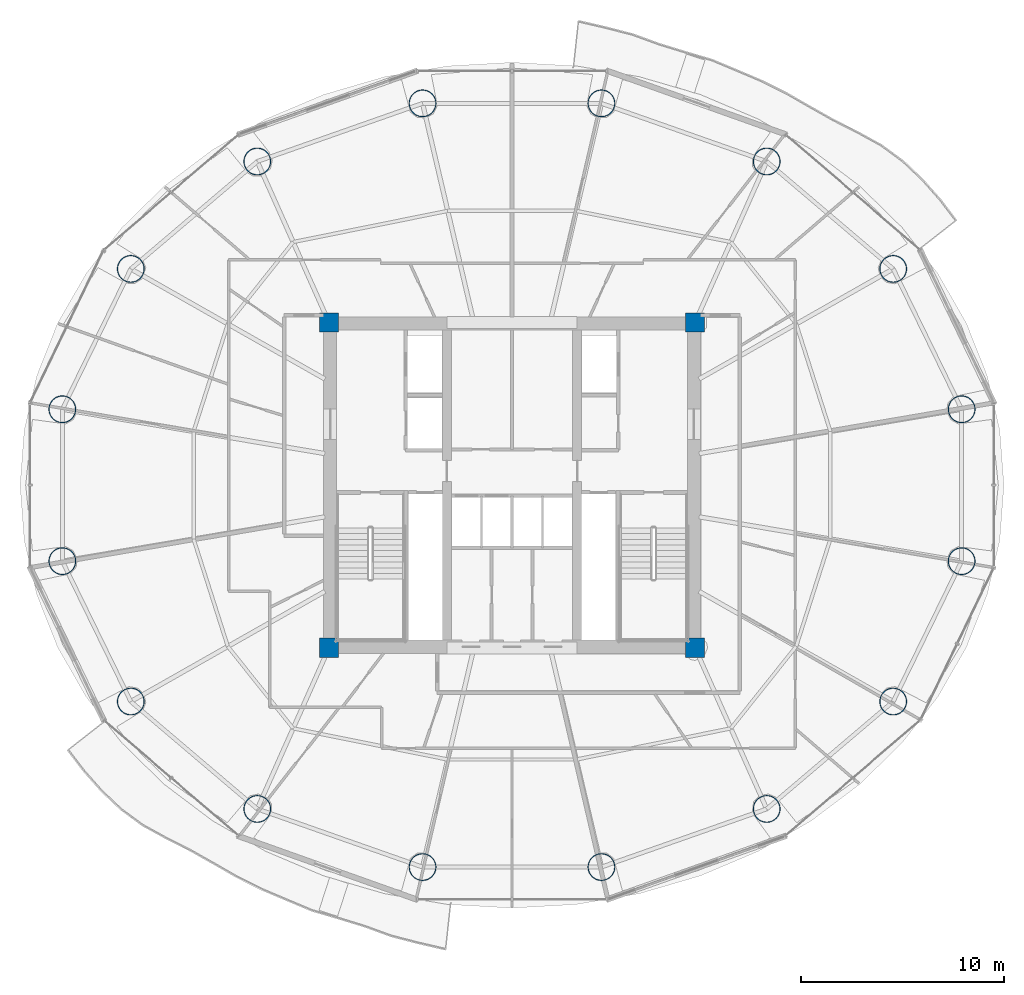
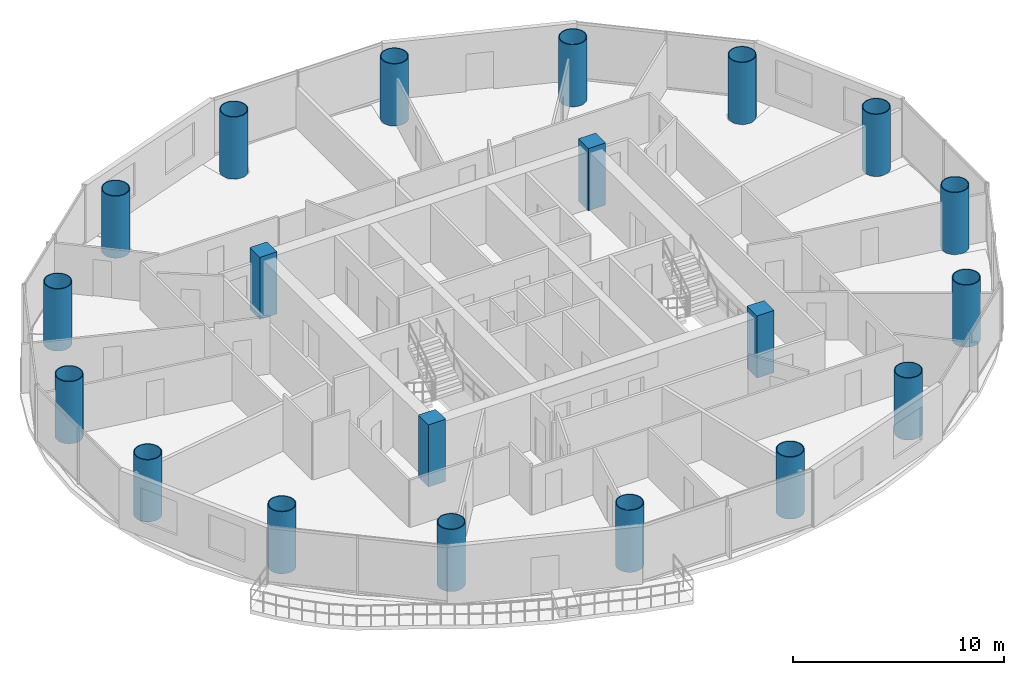
# One storey, part 1 of 26: 20 columns.
"""IFC4 building model written with IfcOpenShell, lengths in metres."""

from ifc_helpers import new_model, si_unit, direction, frame, origin, origin_2d, place, context, subcontext, project, spatial, rectangle, hollow_circle, extrude, material, material_profile, profile_set, type_object, element, save


model = new_model("IFC4")

# Units and contexts
model_context = context("Model", 3, precision=1e-05, world=origin(), true_north=direction((-0.2419218956, 0.970295726276)))
body_context = subcontext(model_context, "Body", "Model", "MODEL_VIEW")
ifc_project = project(units=[si_unit("LENGTHUNIT", "METRE"), si_unit("AREAUNIT", "SQUARE_METRE"), si_unit("VOLUMEUNIT", "CUBIC_METRE"), si_unit("PLANEANGLEUNIT", "RADIAN"), si_unit("MASSUNIT", "GRAM", prefix="KILO")], contexts=[model_context])

# Site, building, storey
site_placement = place(None, origin())
site = spatial("IfcSite", under=ifc_project, at=site_placement, CompositionType="ELEMENT")
building_placement = place(site_placement, origin())
building = spatial("IfcBuilding", under=site, at=building_placement, Name="Cobrevalo Terracotta Tower", CompositionType="ELEMENT")
storey_placement = place(building_placement, frame((0.0, 0.0, 139.0)))
storey = spatial("IfcBuildingStorey", under=building, at=storey_placement, Name="L36", CompositionType="ELEMENT", Elevation=139.0)

# Columns
ifc_material_1 = material(Name="Steel S355", Category="steel")
ifc_material_profile_1 = material_profile(ifc_material_1, hollow_circle(Radius=0.675048828125, WallThickness=0.0419921875, at=origin_2d()), Name="CHS 1350x42")
ifc_profile_set_1 = profile_set([ifc_material_profile_1], Name="Steel S355")
column_type_1 = type_object("IfcColumnType", Name="Structural Column CHS 1350x42 (Steel S355)", PredefinedType="COLUMN", material=ifc_profile_set_1)
for number, where, z_axis, x_axis, name in (
    (1, (60.11669921875, 30.535888671875, 0.0), (0.0, 0.0, 1.0), (1.0, 0.0, 0.0), "L36 composite megacolumn MC01"),
    (2, (56.749755859375, 37.439208984375, 0.0), (0.0, 0.0, 1.0), (1.0, 0.0, 0.0), "L36 composite megacolumn MC02"),
    (3, (50.528076171875, 42.72265625, 0.0), (0.0, 0.0, 1.0), (1.0, 0.0, 0.0), "L36 composite megacolumn MC03"),
    (4, (42.399169921875, 45.58203125, 0.0), (0.0, 0.0, 1.0), (1.0, 0.0, 0.0), "L36 composite megacolumn MC04"),
    (5, (33.600830078125, 45.58203125, 0.0), (0.0, 0.0, 1.0), (1.0, 0.0, 0.0), "L36 composite megacolumn MC05"),
    (6, (25.471923828125, 42.72265625, 0.0), (0.0, 0.0, 1.0), (1.0, 0.0, 0.0), "L36 composite megacolumn MC06"),
    (7, (19.250244140625, 37.439208984375, 0.0), (0.0, 0.0, 1.0), (1.0, 0.0, 0.0), "L36 composite megacolumn MC07"),
    (8, (15.88330078125, 30.535888671875, 0.0), (0.0, 0.0, 1.0), (1.0, 0.0, 0.0), "L36 composite megacolumn MC08"),
    (9, (15.88330078125, 23.06396484375, 0.0), (0.0, 0.0, 1.0), (1.0, 0.0, 0.0), "L36 composite megacolumn MC09"),
    (10, (19.250244140625, 16.160888671875, 0.0), (0.0, 0.0, 1.0), (1.0, 0.0, 0.0), "L36 composite megacolumn MC10"),
    (11, (25.471923828125, 10.87744140625, 0.0), (0.0, 0.0, 1.0), (1.0, 0.0, 0.0), "L36 composite megacolumn MC11"),
    (12, (33.600830078125, 8.01806640625, 0.0), (0.0, 0.0, 1.0), (1.0, 0.0, 0.0), "L36 composite megacolumn MC12"),
    (13, (42.399169921875, 8.01806640625, 0.0), (0.0, 0.0, 1.0), (1.0, 0.0, 0.0), "L36 composite megacolumn MC13"),
    (14, (50.528076171875, 10.87744140625, 0.0), (0.0, 0.0, 1.0), (1.0, 0.0, 0.0), "L36 composite megacolumn MC14"),
    (15, (56.749755859375, 16.160888671875, 0.0), (0.0, 0.0, 1.0), (1.0, 0.0, 0.0), "L36 composite megacolumn MC15"),
    (16, (60.11669921875, 23.06396484375, 0.0), (0.0, 0.0, 1.0), (1.0, 0.0, 0.0), "L36 composite megacolumn MC16"),
):
    element("IfcColumn", number, at=place(storey_placement, frame(where, z_axis=z_axis, x_axis=x_axis)), inside=storey, type_object=column_type_1, Name=name, PredefinedType="COLUMN", context=body_context, shape_type="SweptSolid", body=[
        extrude(hollow_circle(Radius=0.675048828125, WallThickness=0.0419921875, at=origin_2d()), origin(), (0.0, 0.0, 1.0), 3.60009765625),
    ])
ifc_material_2 = material(Name="Concrete C55", Category="concrete")
ifc_material_profile_2 = material_profile(ifc_material_2, rectangle(XDim=0.949951171875, YDim=0.949951171875, at=origin_2d()), Name="RC COL 950x950")
ifc_profile_set_2 = profile_set([ifc_material_profile_2], Name="Concrete C55")
column_type_2 = type_object("IfcColumnType", Name="Structural Column RC COL 950x950 (Concrete C55)", PredefinedType="COLUMN", material=ifc_profile_set_2)
for number, where, z_axis, x_axis, name in (
    (17, (29.0, 18.800048828125, 0.0), (0.0, 0.0, 1.0), (1.0, 0.0, 0.0), "L36 core corner column CC1"),
    (18, (47.0, 18.800048828125, 0.0), (0.0, 0.0, 1.0), (1.0, 0.0, 0.0), "L36 core corner column CC2"),
    (19, (47.0, 34.800048828125, 0.0), (0.0, 0.0, 1.0), (1.0, 0.0, 0.0), "L36 core corner column CC3"),
    (20, (29.0, 34.800048828125, 0.0), (0.0, 0.0, 1.0), (1.0, 0.0, 0.0), "L36 core corner column CC4"),
):
    element("IfcColumn", number, at=place(storey_placement, frame(where, z_axis=z_axis, x_axis=x_axis)), inside=storey, type_object=column_type_2, Name=name, PredefinedType="COLUMN", context=body_context, shape_type="SweptSolid", body=[
        extrude(rectangle(XDim=0.949951171875, YDim=0.949951171875, at=origin_2d()), origin(), (0.0, 0.0, 1.0), 3.60009765625),
    ])

save(model, "model.ifc")
